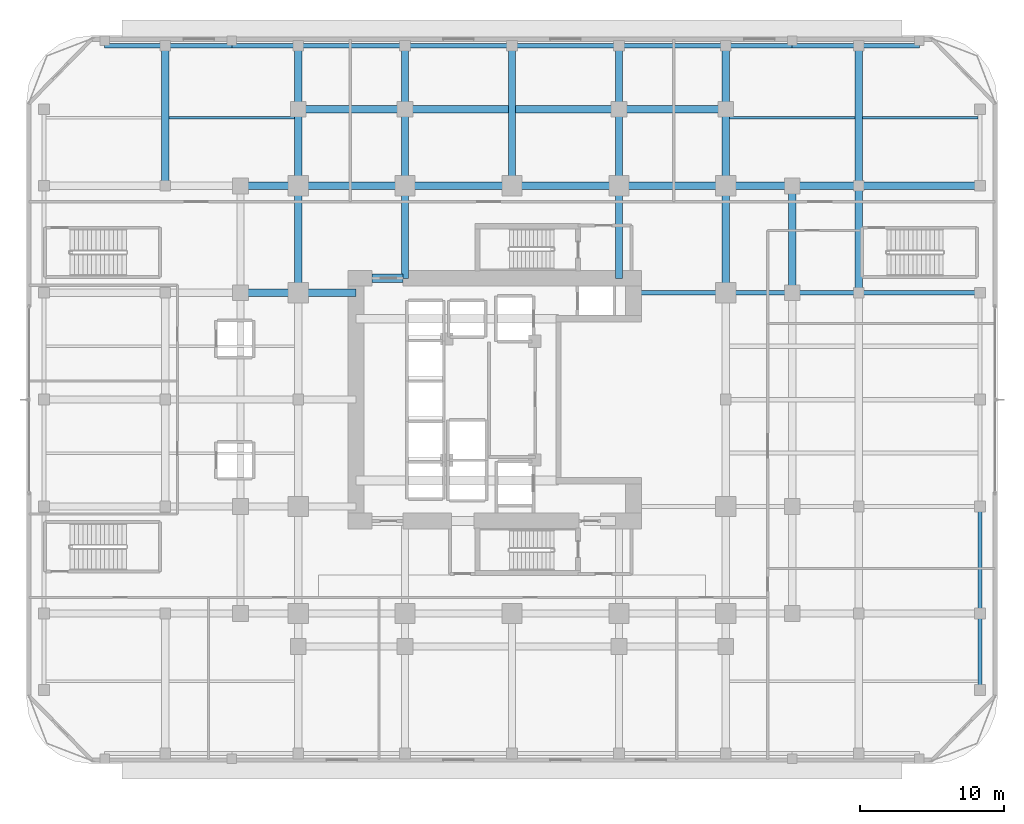
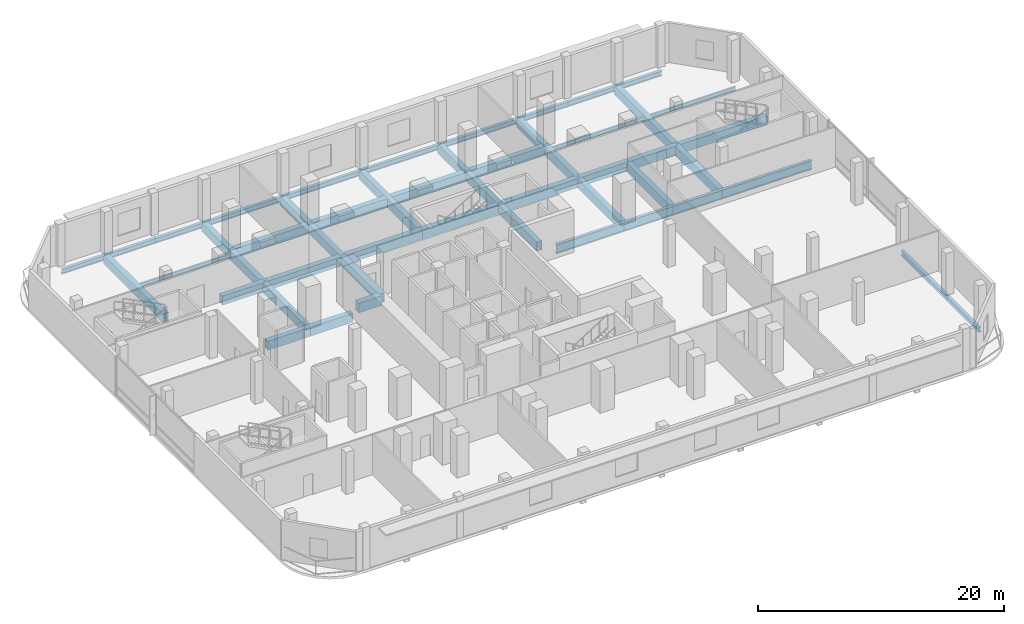
# One storey, part 5 of 19: 50 beams.
"""IFC4 building model written with IfcOpenShell, lengths in metres."""

from ifc_helpers import new_model, si_unit, direction, frame, origin, origin_2d, place, context, subcontext, project, spatial, rectangle, hollow_rectangle, i_section, extrude, material, material_profile, profile_set, type_object, element, save


model = new_model("IFC4")

# Units and contexts
model_context = context("Model", 3, precision=1e-05, world=origin(), true_north=direction((0.0, 1.0)))
body_context = subcontext(model_context, "Body", "Model", "MODEL_VIEW")
ifc_project = project(units=[si_unit("LENGTHUNIT", "METRE"), si_unit("AREAUNIT", "SQUARE_METRE"), si_unit("VOLUMEUNIT", "CUBIC_METRE"), si_unit("PLANEANGLEUNIT", "RADIAN"), si_unit("MASSUNIT", "GRAM", prefix="KILO")], contexts=[model_context])

# Site, building, storey
site_placement = place(None, origin())
site = spatial("IfcSite", under=ifc_project, at=site_placement, CompositionType="ELEMENT")
building_placement = place(site_placement, origin())
building = spatial("IfcBuilding", under=site, at=building_placement, Name="Khorvyn Point Tower", CompositionType="ELEMENT")
storey_placement = place(building_placement, frame((0.0, 0.0, 13.199951171875)))
storey = spatial("IfcBuildingStorey", under=building, at=storey_placement, Name="L04", CompositionType="ELEMENT", Elevation=13.199951171875)

# Beams
ifc_material_1 = material(Name="Concrete C50/60", Category="concrete")
ifc_material_profile_1 = material_profile(ifc_material_1, rectangle(XDim=0.60009765625, YDim=0.949951171875, at=origin_2d()))
ifc_profile_set_1 = profile_set([ifc_material_profile_1], Name="Concrete C50/60 RC600x950")
beam_type_1 = type_object("IfcBeamType", Name="Concrete C50/60 Beam RC600x950", PredefinedType="BEAM", material=ifc_profile_set_1)
beam_1_placement = place(storey_placement, frame((-9.699951171875, 8.39990234375, -0.71484375), z_axis=(1.0, 0.0, 0.0), x_axis=(0.0, 1.0, 0.0)))
element("IfcBeam", 1, at=beam_1_placement, inside=storey, type_object=beam_type_1, Name="L04 Core Northwest Portal Coupling Beam", PredefinedType="BEAM", context=body_context, shape_type="SweptSolid", body=[
    extrude(rectangle(XDim=0.60009765625, YDim=0.949951171875, at=origin_2d()), origin(), (0.0, 0.0, 1.0), 2.14990234375),
])
ifc_material_2 = material(Name="Steel S355", Category="steel")
ifc_material_profile_2 = material_profile(ifc_material_2, i_section(OverallWidth=0.175048828125, OverallDepth=0.35009765625, WebThickness=0.007080078125, FlangeThickness=0.010986328125, at=origin_2d()))
ifc_profile_set_2 = profile_set([ifc_material_profile_2], Name="Steel S355 H350x175x7x11")
beam_type_2 = type_object("IfcBeamType", Name="Steel S355 Joist H350x175x7x11", PredefinedType="JOIST", material=ifc_profile_set_2)
for number, where, z_axis, x_axis, name in (
    (2, (-23.75, 19.5, -0.4150390625), (1.0, 0.0, 0.0), (0.0, 1.0, 0.0), "Beam"),
    (3, (15.050048828125, 19.5, -0.4150390625), (1.0, 0.0, 0.0), (0.0, 1.0, 0.0), "Beam"),
):
    element("IfcBeam", number, at=place(storey_placement, frame(where, z_axis=z_axis, x_axis=x_axis)), inside=storey, type_object=beam_type_2, Name=name, PredefinedType="JOIST", context=body_context, shape_type="SweptSolid", body=[
        extrude(i_section(OverallWidth=0.175048828125, OverallDepth=0.35009765625, WebThickness=0.007080078125, FlangeThickness=0.010986328125, at=origin_2d()), origin(), (0.0, 0.0, 1.0), 8.699951171875),
    ])
beam_2_placement = place(storey_placement, frame((24.25, 19.5, -0.4150390625), z_axis=(1.0, 0.0, 0.0), x_axis=(0.0, 1.0, 0.0)))
element("IfcBeam", 4, at=beam_2_placement, inside=storey, type_object=beam_type_2, Name="Beam", PredefinedType="JOIST", context=body_context, shape_type="SweptSolid", body=[
    extrude(i_section(OverallWidth=0.175048828125, OverallDepth=0.35009765625, WebThickness=0.007080078125, FlangeThickness=0.010986328125, at=origin_2d()), origin(), (0.0, 0.0, 1.0), 8.0),
])
ifc_material_profile_3 = material_profile(ifc_material_2, i_section(OverallWidth=0.300048828125, OverallDepth=0.488037109375, WebThickness=0.010986328125, FlangeThickness=0.01806640625, at=origin_2d()))
ifc_profile_set_3 = profile_set([ifc_material_profile_3], Name="Steel S355 H488x300x11x18")
beam_type_3 = type_object("IfcBeamType", Name="Steel S355 Spandrel H488x300x11x18", PredefinedType="SPANDREL", material=ifc_profile_set_3)
beam_3_placement = place(storey_placement, frame((-28.199951171875, 24.5, -0.48388671875), z_axis=(1.0, 0.0, 0.0), x_axis=(0.0, 1.0, 0.0)))
element("IfcBeam", 5, at=beam_3_placement, inside=storey, type_object=beam_type_3, Name="Beam", PredefinedType="SPANDREL", context=body_context, shape_type="SweptSolid", body=[
    extrude(i_section(OverallWidth=0.300048828125, OverallDepth=0.488037109375, WebThickness=0.010986328125, FlangeThickness=0.01806640625, at=origin_2d()), origin(), (0.0, 0.0, 1.0), 4.199951171875),
])
beam_4_placement = place(storey_placement, frame((-24.0, 24.5, -0.48388671875), z_axis=(1.0, 0.0, 0.0), x_axis=(0.0, 1.0, 0.0)))
element("IfcBeam", 6, at=beam_4_placement, inside=storey, type_object=beam_type_3, Name="Beam", PredefinedType="SPANDREL", context=body_context, shape_type="SweptSolid", body=[
    extrude(i_section(OverallWidth=0.300048828125, OverallDepth=0.488037109375, WebThickness=0.010986328125, FlangeThickness=0.01806640625, at=origin_2d()), origin(), (0.0, 0.0, 1.0), 4.60009765625),
])
beam_5_placement = place(storey_placement, frame((-19.39990234375, 24.5, -0.48388671875), z_axis=(1.0, 0.0, 0.0), x_axis=(0.0, 1.0, 0.0)))
element("IfcBeam", 7, at=beam_5_placement, inside=storey, type_object=beam_type_3, Name="Beam", PredefinedType="SPANDREL", context=body_context, shape_type="SweptSolid", body=[
    extrude(i_section(OverallWidth=0.300048828125, OverallDepth=0.488037109375, WebThickness=0.010986328125, FlangeThickness=0.01806640625, at=origin_2d()), origin(), (0.0, 0.0, 1.0), 4.599853515625),
])
beam_6_placement = place(storey_placement, frame((-14.800048828125, 24.5, -0.48388671875), z_axis=(1.0, 0.0, 0.0), x_axis=(0.0, 1.0, 0.0)))
element("IfcBeam", 8, at=beam_6_placement, inside=storey, type_object=beam_type_3, Name="Beam", PredefinedType="SPANDREL", context=body_context, shape_type="SweptSolid", body=[
    extrude(i_section(OverallWidth=0.300048828125, OverallDepth=0.488037109375, WebThickness=0.010986328125, FlangeThickness=0.01806640625, at=origin_2d()), origin(), (0.0, 0.0, 1.0), 7.400146484375),
])
for number, where, z_axis, x_axis, name in (
    (9, (-7.39990234375, 24.5, -0.48388671875), (1.0, 0.0, 0.0), (0.0, 1.0, 0.0), "Beam"),
    (10, (0.0, 24.5, -0.48388671875), (1.0, 0.0, 0.0), (0.0, 1.0, 0.0), "Beam"),
):
    element("IfcBeam", number, at=place(storey_placement, frame(where, z_axis=z_axis, x_axis=x_axis)), inside=storey, type_object=beam_type_3, Name=name, PredefinedType="SPANDREL", context=body_context, shape_type="SweptSolid", body=[
        extrude(i_section(OverallWidth=0.300048828125, OverallDepth=0.488037109375, WebThickness=0.010986328125, FlangeThickness=0.01806640625, at=origin_2d()), origin(), (0.0, 0.0, 1.0), 7.39990234375),
    ])
beam_7_placement = place(storey_placement, frame((7.39990234375, 24.5, -0.48388671875), z_axis=(1.0, 0.0, 0.0), x_axis=(0.0, 1.0, 0.0)))
element("IfcBeam", 11, at=beam_7_placement, inside=storey, type_object=beam_type_3, Name="Beam", PredefinedType="SPANDREL", context=body_context, shape_type="SweptSolid", body=[
    extrude(i_section(OverallWidth=0.300048828125, OverallDepth=0.488037109375, WebThickness=0.010986328125, FlangeThickness=0.01806640625, at=origin_2d()), origin(), (0.0, 0.0, 1.0), 7.400146484375),
])
beam_8_placement = place(storey_placement, frame((14.800048828125, 24.5, -0.48388671875), z_axis=(1.0, 0.0, 0.0), x_axis=(0.0, 1.0, 0.0)))
element("IfcBeam", 12, at=beam_8_placement, inside=storey, type_object=beam_type_3, Name="Beam", PredefinedType="SPANDREL", context=body_context, shape_type="SweptSolid", body=[
    extrude(i_section(OverallWidth=0.300048828125, OverallDepth=0.488037109375, WebThickness=0.010986328125, FlangeThickness=0.01806640625, at=origin_2d()), origin(), (0.0, 0.0, 1.0), 4.599853515625),
])
beam_9_placement = place(storey_placement, frame((19.39990234375, 24.5, -0.48388671875), z_axis=(1.0, 0.0, 0.0), x_axis=(0.0, 1.0, 0.0)))
element("IfcBeam", 13, at=beam_9_placement, inside=storey, type_object=beam_type_3, Name="Beam", PredefinedType="SPANDREL", context=body_context, shape_type="SweptSolid", body=[
    extrude(i_section(OverallWidth=0.300048828125, OverallDepth=0.488037109375, WebThickness=0.010986328125, FlangeThickness=0.01806640625, at=origin_2d()), origin(), (0.0, 0.0, 1.0), 4.60009765625),
])
beam_10_placement = place(storey_placement, frame((24.0, 24.5, -0.48388671875), z_axis=(1.0, 0.0, 0.0), x_axis=(0.0, 1.0, 0.0)))
element("IfcBeam", 14, at=beam_10_placement, inside=storey, type_object=beam_type_3, Name="Beam", PredefinedType="SPANDREL", context=body_context, shape_type="SweptSolid", body=[
    extrude(i_section(OverallWidth=0.300048828125, OverallDepth=0.488037109375, WebThickness=0.010986328125, FlangeThickness=0.01806640625, at=origin_2d()), origin(), (0.0, 0.0, 1.0), 4.199951171875),
])
beam_11_placement = place(storey_placement, frame((32.39990234375, -20.10009765625, -0.48388671875), z_axis=(0.0, 1.0, 0.0), x_axis=(-1.0, 0.0, 0.0)))
element("IfcBeam", 15, at=beam_11_placement, inside=storey, type_object=beam_type_3, Name="Beam", PredefinedType="SPANDREL", context=body_context, shape_type="SweptSolid", body=[
    extrude(i_section(OverallWidth=0.300048828125, OverallDepth=0.488037109375, WebThickness=0.010986328125, FlangeThickness=0.01806640625, at=origin_2d()), origin(), (0.0, 0.0, 1.0), 5.300048828125),
])
beam_12_placement = place(storey_placement, frame((32.39990234375, -14.800048828125, -0.48388671875), z_axis=(0.0, 1.0, 0.0), x_axis=(-1.0, 0.0, 0.0)))
element("IfcBeam", 16, at=beam_12_placement, inside=storey, type_object=beam_type_3, Name="Beam", PredefinedType="SPANDREL", context=body_context, shape_type="SweptSolid", body=[
    extrude(i_section(OverallWidth=0.300048828125, OverallDepth=0.488037109375, WebThickness=0.010986328125, FlangeThickness=0.01806640625, at=origin_2d()), origin(), (0.0, 0.0, 1.0), 7.400146484375),
])
ifc_material_3 = material(Name="Steel S450", Category="steel")
ifc_material_profile_4 = material_profile(ifc_material_3, hollow_rectangle(XDim=0.5, YDim=0.89990234375, WallThickness=0.0400390625, at=origin_2d()))
ifc_profile_set_4 = profile_set([ifc_material_profile_4], Name="Steel S450 BOX900x500x40")
beam_type_4 = type_object("IfcBeamType", Name="Steel S450 Beam BOX900x500x40", PredefinedType="BEAM", material=ifc_profile_set_4)
for number, where, z_axis, x_axis, name in (
    (17, (-18.800048828125, 7.39990234375, -0.68994140625), (1.0, 0.0, 0.0), (0.0, 1.0, 0.0), "Beam"),
    (18, (-14.800048828125, 7.39990234375, -0.68994140625), (1.0, 0.0, 0.0), (0.0, 1.0, 0.0), "Beam"),
    (19, (-18.800048828125, 14.800048828125, -0.68994140625), (1.0, 0.0, 0.0), (0.0, 1.0, 0.0), "Beam"),
):
    element("IfcBeam", number, at=place(storey_placement, frame(where, z_axis=z_axis, x_axis=x_axis)), inside=storey, type_object=beam_type_4, Name=name, PredefinedType="BEAM", context=body_context, shape_type="SweptSolid", body=[
        extrude(hollow_rectangle(XDim=0.5, YDim=0.89990234375, WallThickness=0.0400390625, at=origin_2d()), origin(), (0.0, 0.0, 1.0), 4.0),
    ])
beam_13_placement = place(storey_placement, frame((-14.800048828125, 14.800048828125, -0.68994140625), z_axis=(1.0, 0.0, 0.0), x_axis=(0.0, 1.0, 0.0)))
element("IfcBeam", 20, at=beam_13_placement, inside=storey, type_object=beam_type_4, Name="Beam", PredefinedType="BEAM", context=body_context, shape_type="SweptSolid", body=[
    extrude(hollow_rectangle(XDim=0.5, YDim=0.89990234375, WallThickness=0.0400390625, at=origin_2d()), origin(), (0.0, 0.0, 1.0), 7.400146484375),
])
for number, where, z_axis, x_axis, name in (
    (21, (-7.39990234375, 14.800048828125, -0.68994140625), (1.0, 0.0, 0.0), (0.0, 1.0, 0.0), "Beam"),
    (22, (0.0, 14.800048828125, -0.68994140625), (1.0, 0.0, 0.0), (0.0, 1.0, 0.0), "Beam"),
):
    element("IfcBeam", number, at=place(storey_placement, frame(where, z_axis=z_axis, x_axis=x_axis)), inside=storey, type_object=beam_type_4, Name=name, PredefinedType="BEAM", context=body_context, shape_type="SweptSolid", body=[
        extrude(hollow_rectangle(XDim=0.5, YDim=0.89990234375, WallThickness=0.0400390625, at=origin_2d()), origin(), (0.0, 0.0, 1.0), 7.39990234375),
    ])
beam_14_placement = place(storey_placement, frame((7.39990234375, 14.800048828125, -0.68994140625), z_axis=(1.0, 0.0, 0.0), x_axis=(0.0, 1.0, 0.0)))
element("IfcBeam", 23, at=beam_14_placement, inside=storey, type_object=beam_type_4, Name="Beam", PredefinedType="BEAM", context=body_context, shape_type="SweptSolid", body=[
    extrude(hollow_rectangle(XDim=0.5, YDim=0.89990234375, WallThickness=0.0400390625, at=origin_2d()), origin(), (0.0, 0.0, 1.0), 7.400146484375),
])
beam_15_placement = place(storey_placement, frame((14.800048828125, 14.800048828125, -0.68994140625), z_axis=(1.0, 0.0, 0.0), x_axis=(0.0, 1.0, 0.0)))
element("IfcBeam", 24, at=beam_15_placement, inside=storey, type_object=beam_type_4, Name="Beam", PredefinedType="BEAM", context=body_context, shape_type="SweptSolid", body=[
    extrude(hollow_rectangle(XDim=0.5, YDim=0.89990234375, WallThickness=0.0400390625, at=origin_2d()), origin(), (0.0, 0.0, 1.0), 4.599853515625),
])
beam_16_placement = place(storey_placement, frame((19.39990234375, 14.800048828125, -0.68994140625), z_axis=(1.0, 0.0, 0.0), x_axis=(0.0, 1.0, 0.0)))
element("IfcBeam", 25, at=beam_16_placement, inside=storey, type_object=beam_type_4, Name="Beam", PredefinedType="BEAM", context=body_context, shape_type="SweptSolid", body=[
    extrude(hollow_rectangle(XDim=0.5, YDim=0.89990234375, WallThickness=0.0400390625, at=origin_2d()), origin(), (0.0, 0.0, 1.0), 4.60009765625),
])
beam_17_placement = place(storey_placement, frame((24.0, 14.800048828125, -0.68994140625), z_axis=(1.0, 0.0, 0.0), x_axis=(0.0, 1.0, 0.0)))
element("IfcBeam", 26, at=beam_17_placement, inside=storey, type_object=beam_type_4, Name="Beam", PredefinedType="BEAM", context=body_context, shape_type="SweptSolid", body=[
    extrude(hollow_rectangle(XDim=0.5, YDim=0.89990234375, WallThickness=0.0400390625, at=origin_2d()), origin(), (0.0, 0.0, 1.0), 8.39990234375),
])
beam_18_placement = place(storey_placement, frame((-14.800048828125, 20.10009765625, -0.68994140625), z_axis=(1.0, 0.0, 0.0), x_axis=(0.0, 1.0, 0.0)))
element("IfcBeam", 27, at=beam_18_placement, inside=storey, type_object=beam_type_4, Name="Beam", PredefinedType="BEAM", context=body_context, shape_type="SweptSolid", body=[
    extrude(hollow_rectangle(XDim=0.5, YDim=0.89990234375, WallThickness=0.0400390625, at=origin_2d()), origin(), (0.0, 0.0, 1.0), 7.400146484375),
])
beam_19_placement = place(storey_placement, frame((-7.39990234375, 20.10009765625, -0.68994140625), z_axis=(1.0, 0.0, 0.0), x_axis=(0.0, 1.0, 0.0)))
element("IfcBeam", 28, at=beam_19_placement, inside=storey, type_object=beam_type_4, Name="Beam", PredefinedType="BEAM", context=body_context, shape_type="SweptSolid", body=[
    extrude(hollow_rectangle(XDim=0.5, YDim=0.89990234375, WallThickness=0.0400390625, at=origin_2d()), origin(), (0.0, 0.0, 1.0), 14.7998046875),
])
beam_20_placement = place(storey_placement, frame((7.39990234375, 20.10009765625, -0.68994140625), z_axis=(1.0, 0.0, 0.0), x_axis=(0.0, 1.0, 0.0)))
element("IfcBeam", 29, at=beam_20_placement, inside=storey, type_object=beam_type_4, Name="Beam", PredefinedType="BEAM", context=body_context, shape_type="SweptSolid", body=[
    extrude(hollow_rectangle(XDim=0.5, YDim=0.89990234375, WallThickness=0.0400390625, at=origin_2d()), origin(), (0.0, 0.0, 1.0), 7.400146484375),
])
beam_21_placement = place(storey_placement, frame((-24.0, 14.800048828125, -0.68994140625), z_axis=(0.0, 1.0, 0.0), x_axis=(-1.0, 0.0, 0.0)))
element("IfcBeam", 30, at=beam_21_placement, inside=storey, type_object=beam_type_4, Name="Beam", PredefinedType="BEAM", context=body_context, shape_type="SweptSolid", body=[
    extrude(hollow_rectangle(XDim=0.5, YDim=0.89990234375, WallThickness=0.0400390625, at=origin_2d()), origin(), (0.0, 0.0, 1.0), 9.699951171875),
])
beam_22_placement = place(storey_placement, frame((-14.800048828125, 7.39990234375, -0.68994140625), z_axis=(0.0, 1.0, 0.0), x_axis=(-1.0, 0.0, 0.0)))
element("IfcBeam", 31, at=beam_22_placement, inside=storey, type_object=beam_type_4, Name="Beam", PredefinedType="BEAM", context=body_context, shape_type="SweptSolid", body=[
    extrude(hollow_rectangle(XDim=0.5, YDim=0.89990234375, WallThickness=0.0400390625, at=origin_2d()), origin(), (0.0, 0.0, 1.0), 7.400146484375),
])
beam_23_placement = place(storey_placement, frame((-14.800048828125, 14.800048828125, -0.68994140625), z_axis=(0.0, 1.0, 0.0), x_axis=(-1.0, 0.0, 0.0)))
element("IfcBeam", 32, at=beam_23_placement, inside=storey, type_object=beam_type_4, Name="Beam", PredefinedType="BEAM", context=body_context, shape_type="SweptSolid", body=[
    extrude(hollow_rectangle(XDim=0.5, YDim=0.89990234375, WallThickness=0.0400390625, at=origin_2d()), origin(), (0.0, 0.0, 1.0), 5.300048828125),
])
beam_24_placement = place(storey_placement, frame((-14.800048828125, 20.10009765625, -0.68994140625), z_axis=(0.0, 1.0, 0.0), x_axis=(-1.0, 0.0, 0.0)))
element("IfcBeam", 33, at=beam_24_placement, inside=storey, type_object=beam_type_4, Name="Beam", PredefinedType="BEAM", context=body_context, shape_type="SweptSolid", body=[
    extrude(hollow_rectangle(XDim=0.5, YDim=0.89990234375, WallThickness=0.0400390625, at=origin_2d()), origin(), (0.0, 0.0, 1.0), 4.39990234375),
])
beam_25_placement = place(storey_placement, frame((-7.39990234375, 8.39990234375, -0.68994140625), z_axis=(0.0, 1.0, 0.0), x_axis=(-1.0, 0.0, 0.0)))
element("IfcBeam", 34, at=beam_25_placement, inside=storey, type_object=beam_type_4, Name="Beam", PredefinedType="BEAM", context=body_context, shape_type="SweptSolid", body=[
    extrude(hollow_rectangle(XDim=0.5, YDim=0.89990234375, WallThickness=0.0400390625, at=origin_2d()), origin(), (0.0, 0.0, 1.0), 6.400146484375),
])
beam_26_placement = place(storey_placement, frame((-7.39990234375, 14.800048828125, -0.68994140625), z_axis=(0.0, 1.0, 0.0), x_axis=(-1.0, 0.0, 0.0)))
element("IfcBeam", 35, at=beam_26_placement, inside=storey, type_object=beam_type_4, Name="Beam", PredefinedType="BEAM", context=body_context, shape_type="SweptSolid", body=[
    extrude(hollow_rectangle(XDim=0.5, YDim=0.89990234375, WallThickness=0.0400390625, at=origin_2d()), origin(), (0.0, 0.0, 1.0), 5.300048828125),
])
beam_27_placement = place(storey_placement, frame((-7.39990234375, 20.10009765625, -0.68994140625), z_axis=(0.0, 1.0, 0.0), x_axis=(-1.0, 0.0, 0.0)))
element("IfcBeam", 36, at=beam_27_placement, inside=storey, type_object=beam_type_4, Name="Beam", PredefinedType="BEAM", context=body_context, shape_type="SweptSolid", body=[
    extrude(hollow_rectangle(XDim=0.5, YDim=0.89990234375, WallThickness=0.0400390625, at=origin_2d()), origin(), (0.0, 0.0, 1.0), 4.39990234375),
])
beam_28_placement = place(storey_placement, frame((0.0, 14.800048828125, -0.68994140625), z_axis=(0.0, 1.0, 0.0), x_axis=(-1.0, 0.0, 0.0)))
element("IfcBeam", 37, at=beam_28_placement, inside=storey, type_object=beam_type_4, Name="Beam", PredefinedType="BEAM", context=body_context, shape_type="SweptSolid", body=[
    extrude(hollow_rectangle(XDim=0.5, YDim=0.89990234375, WallThickness=0.0400390625, at=origin_2d()), origin(), (0.0, 0.0, 1.0), 9.699951171875),
])
beam_29_placement = place(storey_placement, frame((7.39990234375, 8.39990234375, -0.68994140625), z_axis=(0.0, 1.0, 0.0), x_axis=(-1.0, 0.0, 0.0)))
element("IfcBeam", 38, at=beam_29_placement, inside=storey, type_object=beam_type_4, Name="Beam", PredefinedType="BEAM", context=body_context, shape_type="SweptSolid", body=[
    extrude(hollow_rectangle(XDim=0.5, YDim=0.89990234375, WallThickness=0.0400390625, at=origin_2d()), origin(), (0.0, 0.0, 1.0), 6.400146484375),
])
beam_30_placement = place(storey_placement, frame((7.39990234375, 14.800048828125, -0.68994140625), z_axis=(0.0, 1.0, 0.0), x_axis=(-1.0, 0.0, 0.0)))
element("IfcBeam", 39, at=beam_30_placement, inside=storey, type_object=beam_type_4, Name="Beam", PredefinedType="BEAM", context=body_context, shape_type="SweptSolid", body=[
    extrude(hollow_rectangle(XDim=0.5, YDim=0.89990234375, WallThickness=0.0400390625, at=origin_2d()), origin(), (0.0, 0.0, 1.0), 5.300048828125),
])
beam_31_placement = place(storey_placement, frame((7.39990234375, 20.10009765625, -0.68994140625), z_axis=(0.0, 1.0, 0.0), x_axis=(-1.0, 0.0, 0.0)))
element("IfcBeam", 40, at=beam_31_placement, inside=storey, type_object=beam_type_4, Name="Beam", PredefinedType="BEAM", context=body_context, shape_type="SweptSolid", body=[
    extrude(hollow_rectangle(XDim=0.5, YDim=0.89990234375, WallThickness=0.0400390625, at=origin_2d()), origin(), (0.0, 0.0, 1.0), 4.39990234375),
])
beam_32_placement = place(storey_placement, frame((14.800048828125, 7.39990234375, -0.68994140625), z_axis=(0.0, 1.0, 0.0), x_axis=(-1.0, 0.0, 0.0)))
element("IfcBeam", 41, at=beam_32_placement, inside=storey, type_object=beam_type_4, Name="Beam", PredefinedType="BEAM", context=body_context, shape_type="SweptSolid", body=[
    extrude(hollow_rectangle(XDim=0.5, YDim=0.89990234375, WallThickness=0.0400390625, at=origin_2d()), origin(), (0.0, 0.0, 1.0), 7.400146484375),
])
beam_33_placement = place(storey_placement, frame((14.800048828125, 14.800048828125, -0.68994140625), z_axis=(0.0, 1.0, 0.0), x_axis=(-1.0, 0.0, 0.0)))
element("IfcBeam", 42, at=beam_33_placement, inside=storey, type_object=beam_type_4, Name="Beam", PredefinedType="BEAM", context=body_context, shape_type="SweptSolid", body=[
    extrude(hollow_rectangle(XDim=0.5, YDim=0.89990234375, WallThickness=0.0400390625, at=origin_2d()), origin(), (0.0, 0.0, 1.0), 5.300048828125),
])
beam_34_placement = place(storey_placement, frame((14.800048828125, 20.10009765625, -0.68994140625), z_axis=(0.0, 1.0, 0.0), x_axis=(-1.0, 0.0, 0.0)))
element("IfcBeam", 43, at=beam_34_placement, inside=storey, type_object=beam_type_4, Name="Beam", PredefinedType="BEAM", context=body_context, shape_type="SweptSolid", body=[
    extrude(hollow_rectangle(XDim=0.5, YDim=0.89990234375, WallThickness=0.0400390625, at=origin_2d()), origin(), (0.0, 0.0, 1.0), 4.39990234375),
])
beam_35_placement = place(storey_placement, frame((24.0, 7.39990234375, -0.68994140625), z_axis=(0.0, 1.0, 0.0), x_axis=(-1.0, 0.0, 0.0)))
element("IfcBeam", 44, at=beam_35_placement, inside=storey, type_object=beam_type_4, Name="Beam", PredefinedType="BEAM", context=body_context, shape_type="SweptSolid", body=[
    extrude(hollow_rectangle(XDim=0.5, YDim=0.89990234375, WallThickness=0.0400390625, at=origin_2d()), origin(), (0.0, 0.0, 1.0), 7.400146484375),
])
beam_36_placement = place(storey_placement, frame((24.0, 14.800048828125, -0.68994140625), z_axis=(0.0, 1.0, 0.0), x_axis=(-1.0, 0.0, 0.0)))
element("IfcBeam", 45, at=beam_36_placement, inside=storey, type_object=beam_type_4, Name="Beam", PredefinedType="BEAM", context=body_context, shape_type="SweptSolid", body=[
    extrude(hollow_rectangle(XDim=0.5, YDim=0.89990234375, WallThickness=0.0400390625, at=origin_2d()), origin(), (0.0, 0.0, 1.0), 9.699951171875),
])
beam_37_placement = place(storey_placement, frame((19.39990234375, 7.39990234375, -0.68994140625), z_axis=(0.0, 1.0, 0.0), x_axis=(-1.0, 0.0, 0.0)))
element("IfcBeam", 46, at=beam_37_placement, inside=storey, type_object=beam_type_4, Name="Beam", PredefinedType="BEAM", context=body_context, shape_type="SweptSolid", body=[
    extrude(hollow_rectangle(XDim=0.5, YDim=0.89990234375, WallThickness=0.0400390625, at=origin_2d()), origin(), (0.0, 0.0, 1.0), 7.400146484375),
])
ifc_material_profile_5 = material_profile(ifc_material_3, i_section(OverallWidth=0.300048828125, OverallDepth=0.89990234375, WebThickness=0.01611328125, FlangeThickness=0.028076171875, at=origin_2d()))
ifc_profile_set_5 = profile_set([ifc_material_profile_5], Name="Steel S450 H900x300x16x28")
beam_type_5 = type_object("IfcBeamType", Name="Steel S450 Beam H900x300x16x28", PredefinedType="BEAM", material=ifc_profile_set_5)
beam_38_placement = place(storey_placement, frame((8.39990234375, 7.39990234375, -0.68994140625), z_axis=(1.0, 0.0, 0.0), x_axis=(0.0, 1.0, 0.0)))
element("IfcBeam", 47, at=beam_38_placement, inside=storey, type_object=beam_type_5, Name="Beam", PredefinedType="BEAM", context=body_context, shape_type="SweptSolid", body=[
    extrude(i_section(OverallWidth=0.300048828125, OverallDepth=0.89990234375, WebThickness=0.01611328125, FlangeThickness=0.028076171875, at=origin_2d()), origin(), (0.0, 0.0, 1.0), 6.400146484375),
])
beam_39_placement = place(storey_placement, frame((14.800048828125, 7.39990234375, -0.68994140625), z_axis=(1.0, 0.0, 0.0), x_axis=(0.0, 1.0, 0.0)))
element("IfcBeam", 48, at=beam_39_placement, inside=storey, type_object=beam_type_5, Name="Beam", PredefinedType="BEAM", context=body_context, shape_type="SweptSolid", body=[
    extrude(i_section(OverallWidth=0.300048828125, OverallDepth=0.89990234375, WebThickness=0.01611328125, FlangeThickness=0.028076171875, at=origin_2d()), origin(), (0.0, 0.0, 1.0), 4.599853515625),
])
beam_40_placement = place(storey_placement, frame((19.39990234375, 7.39990234375, -0.68994140625), z_axis=(1.0, 0.0, 0.0), x_axis=(0.0, 1.0, 0.0)))
element("IfcBeam", 49, at=beam_40_placement, inside=storey, type_object=beam_type_5, Name="Beam", PredefinedType="BEAM", context=body_context, shape_type="SweptSolid", body=[
    extrude(i_section(OverallWidth=0.300048828125, OverallDepth=0.89990234375, WebThickness=0.01611328125, FlangeThickness=0.028076171875, at=origin_2d()), origin(), (0.0, 0.0, 1.0), 4.60009765625),
])
beam_41_placement = place(storey_placement, frame((24.0, 7.39990234375, -0.68994140625), z_axis=(1.0, 0.0, 0.0), x_axis=(0.0, 1.0, 0.0)))
element("IfcBeam", 50, at=beam_41_placement, inside=storey, type_object=beam_type_5, Name="Beam", PredefinedType="BEAM", context=body_context, shape_type="SweptSolid", body=[
    extrude(i_section(OverallWidth=0.300048828125, OverallDepth=0.89990234375, WebThickness=0.01611328125, FlangeThickness=0.028076171875, at=origin_2d()), origin(), (0.0, 0.0, 1.0), 8.39990234375),
])

save(model, "model.ifc")
